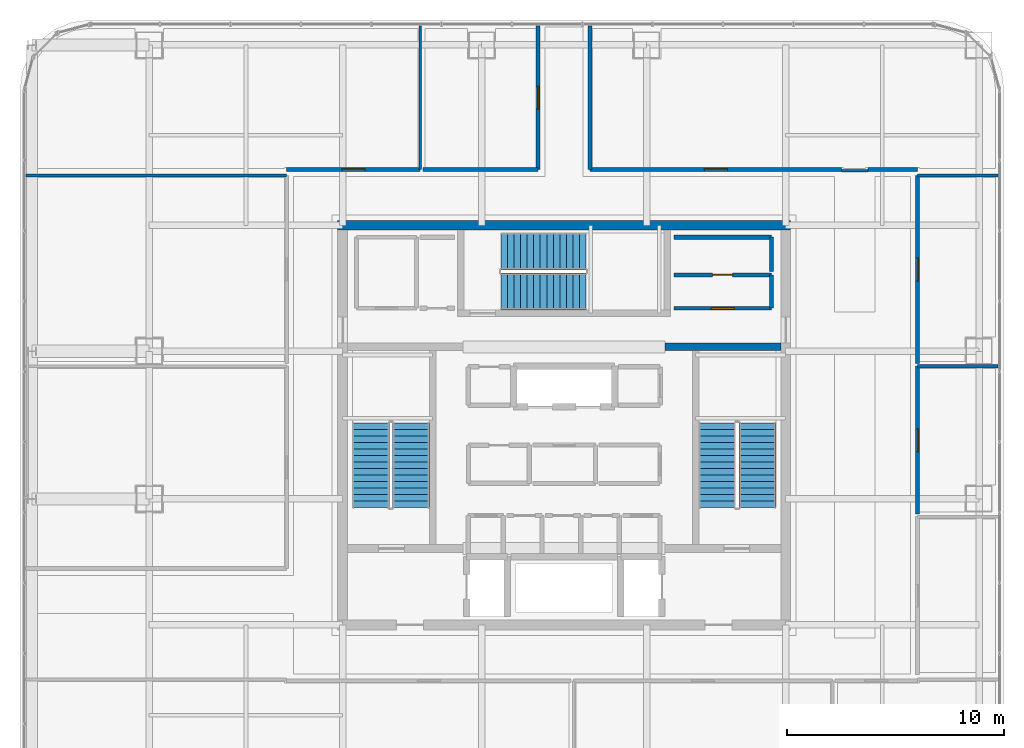
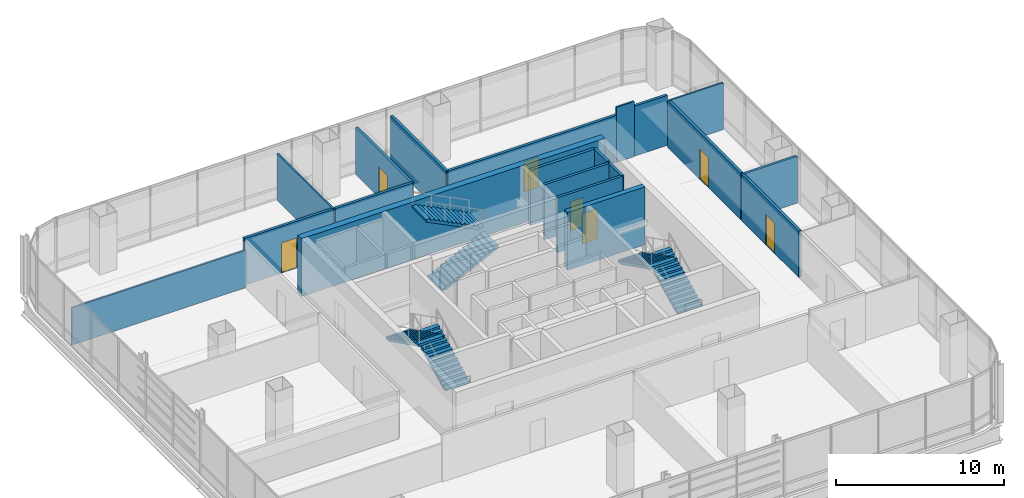
# One storey, part 37 of 43: 20 walls, 7 doors, 6 stair flights, 7 openings, 3 elements without a shape of their own.
"""IFC4 building model written with IfcOpenShell, lengths in metres."""

from ifc_helpers import new_model, si_unit, direction, frame, frame_2d, origin, place, context, subcontext, project, spatial, polyline, rectangle, outline, extrude, material, layer, layer_set, type_object, element, fill, aggregate, save


model = new_model("IFC4")

# Units and contexts
model_context = context("Model", 3, precision=1e-05, world=origin(), true_north=direction((0.0, 1.0)))
body_context = subcontext(model_context, "Body", "Model", "MODEL_VIEW")
ifc_project = project(units=[si_unit("LENGTHUNIT", "METRE"), si_unit("AREAUNIT", "SQUARE_METRE"), si_unit("VOLUMEUNIT", "CUBIC_METRE"), si_unit("PLANEANGLEUNIT", "RADIAN"), si_unit("MASSUNIT", "GRAM", prefix="KILO")], contexts=[model_context])

# Site, building, storey
site_placement = place(None, origin())
site = spatial("IfcSite", under=ifc_project, at=site_placement, CompositionType="ELEMENT")
building_placement = place(site_placement, origin())
building = spatial("IfcBuilding", under=site, at=building_placement, Name="Punatoya Terracotta Tower", CompositionType="ELEMENT")
storey_placement = place(building_placement, frame((0.0, 0.0, 321.60009765625)))
storey = spatial("IfcBuildingStorey", under=building, at=storey_placement, Name="L76", CompositionType="ELEMENT", Elevation=321.60009765625)

# Walls
ifc_material_1 = material(Name="Concrete C50/60", Category="concrete")
ifc_layer_1 = layer(ifc_material_1, 0.449951171875)
ifc_layer_set_1 = layer_set([ifc_layer_1], Name="Concrete C50/60")
wall_type_1 = type_object("IfcWallType", Name="WL-COR-450", PredefinedType="SHEAR", material=ifc_layer_set_1)
wall_1_placement = place(storey_placement, frame((-10.425048828125, 9.199951171875, 0.0), z_axis=(0.0, 0.0, 1.0), x_axis=(1.0, 0.0, 0.0)))
element("IfcWall", 1, at=wall_1_placement, inside=storey, type_object=wall_type_1, Name="L76 Core Shear Wall N", PredefinedType="SHEAR", context=body_context, shape_type="SweptSolid", body=[
    extrude(rectangle(XDim=20.85009765625, YDim=0.449951171875, at=frame_2d((10.425048828125, 0.0))), origin(), (0.0, 0.0, 1.0), 4.199951171875),
])
ifc_material_2 = material(Name="Gypsum Fireboard + Steel Stud", Category="steel")
ifc_layer_2 = layer(ifc_material_2, 0.179931640625)
ifc_layer_set_2 = layer_set([ifc_layer_2], Name="Gypsum Fireboard + Steel Stud")
wall_type_2 = type_object("IfcWallType", Name="WL-CORR-180", PredefinedType="PARTITIONING", material=ifc_layer_set_2)
wall_2_placement = place(storey_placement, frame((9.550048828125, 5.3798828125, 0.0), z_axis=(0.0, 0.0, 1.0), x_axis=(0.0, 1.0, 0.0)))
element("IfcWall", 2, at=wall_2_placement, inside=storey, type_object=wall_type_2, Name="L76 East Core Reference Room Partition 34", PredefinedType="PARTITIONING", context=body_context, shape_type="SweptSolid", body=[
    extrude(rectangle(XDim=1.5400390625, YDim=0.179931640625, at=frame_2d((0.77001953125, 0.0))), origin(), (0.0, 0.0, 1.0), 4.0),
])

# Wall, opening, door
wall_3_placement = place(storey_placement, frame((9.550048828125, 6.919921875, 0.0), z_axis=(0.0, 0.0, 1.0), x_axis=(-1.0, 0.0, 0.0)))
wall_3 = element("IfcWall", 3, at=wall_3_placement, inside=storey, type_object=wall_type_2, Name="L76 East Core Reference Room Partition 35", PredefinedType="PARTITIONING", context=body_context, shape_type="SweptSolid", body=[
    extrude(rectangle(XDim=4.5, YDim=0.179931640625, at=frame_2d((2.25, 0.0))), origin(), (0.0, 0.0, 1.0), 4.0),
])
opening_1_placement = place(wall_3_placement, frame((1.7900390625, 0.0, 0.0)))
opening_1 = element("IfcOpeningElement", 4, at=opening_1_placement, cuts=wall_3, Name="Opening FD-R1", PredefinedType="OPENING", context=body_context, shape_type="SweptSolid", body=[
    extrude(rectangle(XDim=0.919921875, YDim=2.10009765625, at=frame_2d((0.4599609375, 1.050048828125))), frame((0.0, 0.099853515625, 0.0), z_axis=(0.0, -1.0, 0.0), x_axis=(1.0, 0.0, 0.0)), (0.0, 0.0, 1.0), 0.199951171875),
])
ifc_material_3 = material(Name="Galvanised Steel Riser Fire Access Door", Category="steel")
door_type_1 = type_object("IfcDoorType", Name="DR-RSR-920", OperationType="NOTDEFINED", PredefinedType="DOOR", material=ifc_material_3)
door_1_placement = place(opening_1_placement, origin())
door_1 = element("IfcDoor", 5, at=door_1_placement, inside=storey, type_object=door_type_1, Name="L76 East Core Supply Store Fire Door", OperationType="SINGLE_SWING_LEFT", OverallHeight=2.10009765625, OverallWidth=0.919921875, PredefinedType="DOOR", context=body_context, shape_type="SweptSolid", body=[
    extrude(rectangle(XDim=0.919921875, YDim=2.10009765625, at=frame_2d((0.4599609375, 1.050048828125))), frame((0.0, 0.02490234375, 0.0), z_axis=(0.0, -1.0, 0.0), x_axis=(1.0, 0.0, 0.0)), (0.0, 0.0, 1.0), 0.050048828125),
])
fill(opening_1, door_1)

wall_4_placement = place(storey_placement, frame((5.050048828125, 5.3798828125, 0.0), z_axis=(0.0, 0.0, 1.0), x_axis=(1.0, 0.0, 0.0)))
wall_4 = element("IfcWall", 6, at=wall_4_placement, inside=storey, type_object=wall_type_2, Name="L76 East Core Reference Room Partition 36", PredefinedType="PARTITIONING", context=body_context, shape_type="SweptSolid", body=[
    extrude(rectangle(XDim=4.5, YDim=0.179931640625, at=frame_2d((2.25, 0.0))), origin(), (0.0, 0.0, 1.0), 4.0),
])
opening_2_placement = place(wall_4_placement, frame((1.72509765625, 0.0, 0.0)))
opening_2 = element("IfcOpeningElement", 7, at=opening_2_placement, cuts=wall_4, Name="Opening OD-01", PredefinedType="OPENING", context=body_context, shape_type="SweptSolid", body=[
    extrude(rectangle(XDim=1.050048828125, YDim=2.199951171875, at=frame_2d((0.52490234375, 1.10009765625))), frame((0.0, 0.099853515625, 0.0), z_axis=(0.0, -1.0, 0.0), x_axis=(1.0, 0.0, 0.0)), (0.0, 0.0, 1.0), 0.199951171875),
])
ifc_material_4 = material(Name="Bengal Teak Solid-Core Leaf")
door_type_2 = type_object("IfcDoorType", Name="DR-OFF-1050", OperationType="NOTDEFINED", PredefinedType="DOOR", material=ifc_material_4)
door_2_placement = place(opening_2_placement, origin())
door_2 = element("IfcDoor", 8, at=door_2_placement, inside=storey, type_object=door_type_2, Name="L76 East Reference Room Door", OperationType="SINGLE_SWING_RIGHT", OverallHeight=2.199951171875, OverallWidth=1.050048828125, PredefinedType="DOOR", context=body_context, shape_type="SweptSolid", body=[
    extrude(rectangle(XDim=1.050048828125, YDim=2.199951171875, at=frame_2d((0.52490234375, 1.10009765625))), frame((0.0, 0.02490234375, 0.0), z_axis=(0.0, -1.0, 0.0), x_axis=(1.0, 0.0, 0.0)), (0.0, 0.0, 1.0), 0.050048828125),
])
fill(opening_2, door_2)

wall_5_placement = place(storey_placement, frame((16.27001953125, -4.097900390625, 0.0), z_axis=(0.0, 0.0, 1.0), x_axis=(0.0, 1.0, 0.0)))
wall_5 = element("IfcWall", 9, at=wall_5_placement, inside=storey, type_object=wall_type_2, Name="L76 Open-Plan Staff Tea Pantry Partition 52", PredefinedType="PARTITIONING", context=body_context, shape_type="SweptSolid", body=[
    extrude(rectangle(XDim=6.809814453125, YDim=0.179931640625, at=frame_2d((3.40478515625, 0.0))), origin(), (0.0, 0.0, 1.0), 3.393798828125),
])
opening_3_placement = place(wall_5_placement, frame((2.8798828125, 0.0, 0.0)))
opening_3 = element("IfcOpeningElement", 10, at=opening_3_placement, cuts=wall_5, Name="Opening OD-01", PredefinedType="OPENING", context=body_context, shape_type="SweptSolid", body=[
    extrude(rectangle(XDim=1.050048828125, YDim=2.199951171875, at=frame_2d((0.52490234375, 1.10009765625))), frame((0.0, 0.099853515625, 0.0), z_axis=(0.0, -1.0, 0.0), x_axis=(1.0, 0.0, 0.0)), (0.0, 0.0, 1.0), 0.199951171875),
])
door_3_placement = place(opening_3_placement, origin())
door_3 = element("IfcDoor", 11, at=door_3_placement, inside=storey, type_object=door_type_2, Name="L76 Open-Plan Staff Tea Pantry Door", OperationType="SINGLE_SWING_LEFT", OverallHeight=2.199951171875, OverallWidth=1.050048828125, PredefinedType="DOOR", context=body_context, shape_type="SweptSolid", body=[
    extrude(rectangle(XDim=1.050048828125, YDim=2.199951171875, at=frame_2d((0.52490234375, 1.10009765625))), frame((0.0, 0.02490234375, 0.0), z_axis=(0.0, -1.0, 0.0), x_axis=(1.0, 0.0, 0.0)), (0.0, 0.0, 1.0), 0.050048828125),
])
fill(opening_3, door_3)

wall_6_placement = place(storey_placement, frame((16.27001953125, 2.83203125, 0.0), z_axis=(0.0, 0.0, 1.0), x_axis=(0.0, 1.0, 0.0)))
wall_6 = element("IfcWall", 12, at=wall_6_placement, inside=storey, type_object=wall_type_2, Name="L76 Open-Plan Systems Engineering Office Partition 56", PredefinedType="PARTITIONING", context=body_context, shape_type="SweptSolid", body=[
    extrude(rectangle(XDim=8.657958984375, YDim=0.179931640625, at=frame_2d((4.3291015625, 0.0))), origin(), (0.0, 0.0, 1.0), 3.393798828125),
])
opening_4_placement = place(wall_6_placement, frame((3.803955078125, 0.0, 0.0)))
opening_4 = element("IfcOpeningElement", 13, at=opening_4_placement, cuts=wall_6, Name="Opening OD-01", PredefinedType="OPENING", context=body_context, shape_type="SweptSolid", body=[
    extrude(rectangle(XDim=1.050048828125, YDim=2.199951171875, at=frame_2d((0.52490234375, 1.10009765625))), frame((0.0, 0.099853515625, 0.0), z_axis=(0.0, -1.0, 0.0), x_axis=(1.0, 0.0, 0.0)), (0.0, 0.0, 1.0), 0.199951171875),
])
door_4_placement = place(opening_4_placement, origin())
door_4 = element("IfcDoor", 14, at=door_4_placement, inside=storey, type_object=door_type_2, Name="L76 Open-Plan Systems Engineering Office Door", OperationType="SINGLE_SWING_LEFT", OverallHeight=2.199951171875, OverallWidth=1.050048828125, PredefinedType="DOOR", context=body_context, shape_type="SweptSolid", body=[
    extrude(rectangle(XDim=1.050048828125, YDim=2.199951171875, at=frame_2d((0.52490234375, 1.10009765625))), frame((0.0, 0.02490234375, 0.0), z_axis=(0.0, -1.0, 0.0), x_axis=(1.0, 0.0, 0.0)), (0.0, 0.0, 1.0), 0.050048828125),
])
fill(opening_4, door_4)

wall_7_placement = place(storey_placement, frame((-6.626953125, 11.77001953125, 0.0), z_axis=(0.0, 0.0, 1.0), x_axis=(-1.0, 0.0, 0.0)))
wall_7 = element("IfcWall", 15, at=wall_7_placement, inside=storey, type_object=wall_type_2, Name="L76 Open-Plan Quantitative Practice Office Partition 58", PredefinedType="PARTITIONING", context=body_context, shape_type="SweptSolid", body=[
    extrude(rectangle(XDim=6.14306640625, YDim=0.179931640625, at=frame_2d((3.071533203125, 0.0))), origin(), (0.0, 0.0, 1.0), 3.393798828125),
])
opening_5_placement = place(wall_7_placement, frame((2.54638671875, 0.0, 0.0)))
opening_5 = element("IfcOpeningElement", 16, at=opening_5_placement, cuts=wall_7, Name="Opening OD-01", PredefinedType="OPENING", context=body_context, shape_type="SweptSolid", body=[
    extrude(rectangle(XDim=1.050048828125, YDim=2.199951171875, at=frame_2d((0.52490234375, 1.10009765625))), frame((0.0, 0.099853515625, 0.0), z_axis=(0.0, -1.0, 0.0), x_axis=(1.0, 0.0, 0.0)), (0.0, 0.0, 1.0), 0.199951171875),
])
door_5_placement = place(opening_5_placement, origin())
door_5 = element("IfcDoor", 17, at=door_5_placement, inside=storey, type_object=door_type_2, Name="L76 Open-Plan Quantitative Practice Office Door", OperationType="SINGLE_SWING_RIGHT", OverallHeight=2.199951171875, OverallWidth=1.050048828125, PredefinedType="DOOR", context=body_context, shape_type="SweptSolid", body=[
    extrude(rectangle(XDim=1.050048828125, YDim=2.199951171875, at=frame_2d((0.52490234375, 1.10009765625))), frame((0.0, 0.02490234375, 0.0), z_axis=(0.0, -1.0, 0.0), x_axis=(1.0, 0.0, 0.0)), (0.0, 0.0, 1.0), 0.050048828125),
])
fill(opening_5, door_5)

wall_8_placement = place(storey_placement, frame((12.77001953125, 11.77001953125, 0.0), z_axis=(0.0, 0.0, 1.0), x_axis=(-1.0, 0.0, 0.0)))
wall_8 = element("IfcWall", 18, at=wall_8_placement, inside=storey, type_object=wall_type_2, Name="L76 Open-Plan Regional Operations Office Partition 59", PredefinedType="PARTITIONING", context=body_context, shape_type="SweptSolid", body=[
    extrude(rectangle(XDim=11.570068359375, YDim=0.179931640625, at=frame_2d((5.78515625, 0.0))), origin(), (0.0, 0.0, 1.0), 3.393798828125),
])
opening_6_placement = place(wall_8_placement, frame((5.260009765625, 0.0, 0.0)))
opening_6 = element("IfcOpeningElement", 19, at=opening_6_placement, cuts=wall_8, Name="Opening OD-01", PredefinedType="OPENING", context=body_context, shape_type="SweptSolid", body=[
    extrude(rectangle(XDim=1.050048828125, YDim=2.199951171875, at=frame_2d((0.52490234375, 1.10009765625))), frame((0.0, 0.099853515625, 0.0), z_axis=(0.0, -1.0, 0.0), x_axis=(1.0, 0.0, 0.0)), (0.0, 0.0, 1.0), 0.199951171875),
])
door_6_placement = place(opening_6_placement, origin())
door_6 = element("IfcDoor", 20, at=door_6_placement, inside=storey, type_object=door_type_2, Name="L76 Open-Plan Regional Operations Office Door", OperationType="SINGLE_SWING_LEFT", OverallHeight=2.199951171875, OverallWidth=1.050048828125, PredefinedType="DOOR", context=body_context, shape_type="SweptSolid", body=[
    extrude(rectangle(XDim=1.050048828125, YDim=2.199951171875, at=frame_2d((0.52490234375, 1.10009765625))), frame((0.0, 0.02490234375, 0.0), z_axis=(0.0, -1.0, 0.0), x_axis=(1.0, 0.0, 0.0)), (0.0, 0.0, 1.0), 0.050048828125),
])
fill(opening_6, door_6)

# Walls
wall_9_placement = place(storey_placement, frame((1.199951171875, 11.77001953125, 0.0), z_axis=(0.0, 0.0, 1.0), x_axis=(0.0, 1.0, 0.0)))
element("IfcWall", 21, at=wall_9_placement, inside=storey, type_object=wall_type_2, Name="L76 Open-Plan Regional Operations Office Partition 60", PredefinedType="PARTITIONING", context=body_context, shape_type="SweptSolid", body=[
    extrude(rectangle(XDim=6.60009765625, YDim=0.179931640625, at=frame_2d((3.300048828125, 0.0))), origin(), (0.0, 0.0, 1.0), 3.393798828125),
])
wall_10_placement = place(storey_placement, frame((16.27001953125, 11.77001953125, 0.0), z_axis=(0.0, 0.0, 1.0), x_axis=(-1.0, 0.0, 0.0)))
element("IfcWall", 22, at=wall_10_placement, inside=storey, type_object=wall_type_2, Name="L76 Open-Plan Regional Operations Office Partition 61", PredefinedType="PARTITIONING", context=body_context, shape_type="SweptSolid", body=[
    extrude(rectangle(XDim=2.2900390625, YDim=0.179931640625, at=frame_2d((1.14501953125, 0.0))), origin(), (0.0, 0.0, 1.0), 3.6337890625),
])

# Wall, opening, door
wall_11_placement = place(storey_placement, frame((-1.199951171875, 18.3701171875, 0.0), z_axis=(0.0, 0.0, 1.0), x_axis=(0.0, -1.0, 0.0)))
wall_11 = element("IfcWall", 23, at=wall_11_placement, inside=storey, type_object=wall_type_2, Name="L76 Open-Plan Global Desk Workplace Partition 63", PredefinedType="PARTITIONING", context=body_context, shape_type="SweptSolid", body=[
    extrude(rectangle(XDim=6.60009765625, YDim=0.179931640625, at=frame_2d((3.300048828125, 0.0))), origin(), (0.0, 0.0, 1.0), 3.393798828125),
])
opening_7_placement = place(wall_11_placement, frame((2.77490234375, 0.0, 0.0)))
opening_7 = element("IfcOpeningElement", 24, at=opening_7_placement, cuts=wall_11, Name="Opening OD-01", PredefinedType="OPENING", context=body_context, shape_type="SweptSolid", body=[
    extrude(rectangle(XDim=1.050048828125, YDim=2.199951171875, at=frame_2d((0.52490234375, 1.10009765625))), frame((0.0, 0.099853515625, 0.0), z_axis=(0.0, -1.0, 0.0), x_axis=(1.0, 0.0, 0.0)), (0.0, 0.0, 1.0), 0.199951171875),
])
door_7_placement = place(opening_7_placement, origin())
door_7 = element("IfcDoor", 25, at=door_7_placement, inside=storey, type_object=door_type_2, Name="L76 Open-Plan Global Desk Workplace Door", OperationType="SINGLE_SWING_RIGHT", OverallHeight=2.199951171875, OverallWidth=1.050048828125, PredefinedType="DOOR", context=body_context, shape_type="SweptSolid", body=[
    extrude(rectangle(XDim=1.050048828125, YDim=2.199951171875, at=frame_2d((0.52490234375, 1.10009765625))), frame((0.0, 0.02490234375, 0.0), z_axis=(0.0, -1.0, 0.0), x_axis=(1.0, 0.0, 0.0)), (0.0, 0.0, 1.0), 0.050048828125),
])
fill(opening_7, door_7)

# Walls
wall_12_placement = place(storey_placement, frame((-1.199951171875, 11.77001953125, 0.0), z_axis=(0.0, 0.0, 1.0), x_axis=(-1.0, 0.0, 0.0)))
element("IfcWall", 26, at=wall_12_placement, inside=storey, type_object=wall_type_2, Name="L76 Open-Plan Global Desk Workplace Partition 64", PredefinedType="PARTITIONING", context=body_context, shape_type="SweptSolid", body=[
    extrude(rectangle(XDim=5.30712890625, YDim=0.179931640625, at=frame_2d((2.653564453125, 0.0))), origin(), (0.0, 0.0, 1.0), 3.393798828125),
])
ifc_material_5 = material(Name="Concrete C40/50", Category="concrete")
ifc_layer_3 = layer(ifc_material_5, 0.199951171875)
ifc_layer_set_3 = layer_set([ifc_layer_3], Name="Concrete C40/50")
wall_type_3 = type_object("IfcWallType", Name="WL-INT-200", PredefinedType="SOLIDWALL", material=ifc_layer_set_3)
wall_13_placement = place(storey_placement, frame((9.550048828125, 7.080078125, 0.0), z_axis=(0.0, 0.0, 1.0), x_axis=(0.0, 1.0, 0.0)))
element("IfcWall", 27, at=wall_13_placement, inside=storey, type_object=wall_type_3, Name="L76 East Core Supply Store Partition 37", PredefinedType="SOLIDWALL", context=body_context, shape_type="SweptSolid", body=[
    extrude(rectangle(XDim=1.56982421875, YDim=0.199951171875, at=frame_2d((0.784912109375, 0.0))), origin(), (0.0, 0.0, 1.0), 4.0),
])
wall_14_placement = place(storey_placement, frame((9.550048828125, 8.64990234375, 0.0), z_axis=(0.0, 0.0, 1.0), x_axis=(-1.0, 0.0, 0.0)))
element("IfcWall", 28, at=wall_14_placement, inside=storey, type_object=wall_type_3, Name="L76 East Core Supply Store Partition 38", PredefinedType="SOLIDWALL", context=body_context, shape_type="SweptSolid", body=[
    extrude(rectangle(XDim=4.5, YDim=0.199951171875, at=frame_2d((2.25, 0.0))), origin(), (0.0, 0.0, 1.0), 4.0),
])
ifc_material_6 = material(Name="Gypsum Partition + Steel Stud", Category="steel")
ifc_layer_4 = layer(ifc_material_6, 0.1201171875)
ifc_layer_set_4 = layer_set([ifc_layer_4], Name="Gypsum Partition + Steel Stud")
wall_type_4 = type_object("IfcWallType", Name="WL-OFF-120", PredefinedType="PARTITIONING", material=ifc_layer_set_4)
wall_15_placement = place(storey_placement, frame((-24.77001953125, 11.489990234375, 0.0), z_axis=(0.0, 0.0, 1.0), x_axis=(1.0, 0.0, 0.0)))
element("IfcWall", 29, at=wall_15_placement, inside=storey, type_object=wall_type_4, Name="L76 Open-Plan Wellness Quiet Room Partition 53", PredefinedType="PARTITIONING", context=body_context, shape_type="SweptSolid", body=[
    extrude(rectangle(XDim=12.0, YDim=0.1201171875, at=frame_2d((6.0, 0.0))), origin(), (0.0, 0.0, 1.0), 2.7138671875),
])
wall_16_placement = place(storey_placement, frame((16.27001953125, 11.489990234375, 0.0), z_axis=(0.0, 0.0, 1.0), x_axis=(1.0, 0.0, 0.0)))
element("IfcWall", 30, at=wall_16_placement, inside=storey, type_object=wall_type_4, Name="L76 Open-Plan Systems Engineering Office Partition 55", PredefinedType="PARTITIONING", context=body_context, shape_type="SweptSolid", body=[
    extrude(rectangle(XDim=3.699951171875, YDim=0.1201171875, at=frame_2d((1.85009765625, 0.0))), origin(), (0.0, 0.0, 1.0), 3.393798828125),
])
wall_17_placement = place(storey_placement, frame((-6.626953125, 18.3701171875, 0.0), z_axis=(0.0, 0.0, 1.0), x_axis=(0.0, -1.0, 0.0)))
element("IfcWall", 31, at=wall_17_placement, inside=storey, type_object=wall_type_4, Name="L76 Open-Plan Quantitative Practice Office Partition 57", PredefinedType="PARTITIONING", context=body_context, shape_type="SweptSolid", body=[
    extrude(rectangle(XDim=6.60009765625, YDim=0.1201171875, at=frame_2d((3.300048828125, 0.0))), origin(), (0.0, 0.0, 1.0), 3.393798828125),
])
wall_18_placement = place(storey_placement, frame((13.97998046875, 11.7099609375, 0.0), z_axis=(0.0, 0.0, 1.0), x_axis=(-1.0, 0.0, 0.0)))
element("IfcWall", 32, at=wall_18_placement, inside=storey, type_object=wall_type_4, Name="L76 Open-Plan Regional Operations Office Partition 62", PredefinedType="PARTITIONING", context=body_context, shape_type="SweptSolid", body=[
    extrude(rectangle(XDim=1.2099609375, YDim=0.1201171875, at=frame_2d((0.60498046875, 0.0))), origin(), (0.0, 0.0, 1.0), 4.0),
])
ifc_layer_5 = layer(ifc_material_1, 0.35009765625)
ifc_layer_set_5 = layer_set([ifc_layer_5], Name="Concrete C50/60")
wall_type_5 = type_object("IfcWallType", Name="WL-SHF-350", PredefinedType="SOLIDWALL", material=ifc_layer_set_5)
wall_19_placement = place(storey_placement, frame((4.64990234375, 3.60009765625, 0.0), z_axis=(0.0, 0.0, 1.0), x_axis=(1.0, 0.0, 0.0)))
element("IfcWall", 33, at=wall_19_placement, inside=storey, type_object=wall_type_5, Name="L76 Core Web Wall CNW-R", PredefinedType="SOLIDWALL", context=body_context, shape_type="SweptSolid", body=[
    extrude(rectangle(XDim=5.3251953125, YDim=0.35009765625, at=frame_2d((2.66259765625, 0.0))), origin(), (0.0, 0.0, 1.0), 4.199951171875),
])
ifc_material_7 = material(Name="Masonry Blockwork + Ceramic Tile", Category="masonry")
ifc_layer_6 = layer(ifc_material_7, 0.159912109375)
ifc_layer_set_6 = layer_set([ifc_layer_6], Name="Masonry Blockwork + Ceramic Tile")
wall_type_6 = type_object("IfcWallType", Name="WL-WET-160", PredefinedType="PARTITIONING", material=ifc_layer_set_6)
wall_20_placement = place(storey_placement, frame((16.27001953125, 2.7119140625, 0.0), z_axis=(0.0, 0.0, 1.0), x_axis=(1.0, 0.0, 0.0)))
element("IfcWall", 34, at=wall_20_placement, inside=storey, type_object=wall_type_6, Name="L76 Open-Plan Staff Tea Pantry Partition 51", PredefinedType="PARTITIONING", context=body_context, shape_type="SweptSolid", body=[
    extrude(rectangle(XDim=3.699951171875, YDim=0.159912109375, at=frame_2d((1.85009765625, 0.0))), origin(), (0.0, 0.0, 1.0), 3.393798828125),
])

# Stair, stair flights
stair_type_1 = type_object("IfcStairType", Name="STR-CORE-1550", PredefinedType="HALF_TURN_STAIR", material=ifc_material_5)
stair_1_placement = place(storey_placement, origin())
stair_1 = element("IfcStair", 35, at=stair_1_placement, inside=storey, type_object=stair_type_1, Name="L76 Protected Core Exit Stair ST-1", PredefinedType="HALF_TURN_STAIR")
stair_flight_type_1 = type_object("IfcStairFlightType", Name="SFL-CORE-1550", PredefinedType="STRAIGHT", material=ifc_material_5)
stair_flight_1_placement = place(storey_placement, frame((-7.050048828125, -3.800048828125, 0.0), z_axis=(0.0, 0.0, 1.0), x_axis=(0.0, 1.0, 0.0)))
stair_flight_1 = element("IfcStairFlight", 36, at=stair_flight_1_placement, type_object=stair_flight_type_1, Name="ST-1 flight 1", NumberOfRisers=14, NumberOfTreads=13, PredefinedType="STRAIGHT", RiserHeight=0.15, TreadLength=0.3, context=body_context, shape_type="SweptSolid", body=[
    extrude(outline(polyline([(0.0, 0.0), (0.0, 0.14990234375), (0.300048828125, 0.14990234375), (0.300048828125, 0.300048828125), (0.60009765625, 0.300048828125), (0.60009765625, 0.449951171875), (0.89990234375, 0.449951171875), (0.89990234375, 0.60009765625), (1.199951171875, 0.60009765625), (1.199951171875, 0.75), (1.5, 0.75), (1.5, 0.89990234375), (1.800048828125, 0.89990234375), (1.800048828125, 1.050048828125), (2.10009765625, 1.050048828125), (2.10009765625, 1.199951171875), (2.39990234375, 1.199951171875), (2.39990234375, 1.35009765625), (2.699951171875, 1.35009765625), (2.699951171875, 1.5), (3.0, 1.5), (3.0, 1.64990234375), (3.300048828125, 1.64990234375), (3.300048828125, 1.800048828125), (3.60009765625, 1.800048828125), (3.60009765625, 1.949951171875), (3.89990234375, 1.949951171875), (3.89990234375, 2.10009765625), (3.89990234375, 1.782470703125), (0.335205078125, 0.0), (0.0, 0.0)])), frame((0.0, 0.85009765625, 0.0), z_axis=(0.0, -1.0, 0.0), x_axis=(1.0, 0.0, 0.0)), (0.0, 0.0, 1.0), 1.699951171875),
])
stair_flight_2_placement = place(storey_placement, frame((-8.89990234375, 0.10009765625, 2.099853515625), z_axis=(0.0, 0.0, 1.0), x_axis=(0.0, -1.0, 0.0)))
stair_flight_2 = element("IfcStairFlight", 37, at=stair_flight_2_placement, type_object=stair_flight_type_1, Name="ST-1 flight 2", NumberOfRisers=14, NumberOfTreads=13, PredefinedType="STRAIGHT", RiserHeight=0.15, TreadLength=0.3, context=body_context, shape_type="SweptSolid", body=[
    extrude(outline(polyline([(0.0, 0.0), (0.0, 0.14990234375), (0.300048828125, 0.14990234375), (0.300048828125, 0.300048828125), (0.60009765625, 0.300048828125), (0.60009765625, 0.449951171875), (0.89990234375, 0.449951171875), (0.89990234375, 0.60009765625), (1.199951171875, 0.60009765625), (1.199951171875, 0.75), (1.5, 0.75), (1.5, 0.89990234375), (1.800048828125, 0.89990234375), (1.800048828125, 1.050048828125), (2.10009765625, 1.050048828125), (2.10009765625, 1.199951171875), (2.39990234375, 1.199951171875), (2.39990234375, 1.35009765625), (2.699951171875, 1.35009765625), (2.699951171875, 1.5), (3.0, 1.5), (3.0, 1.64990234375), (3.300048828125, 1.64990234375), (3.300048828125, 1.800048828125), (3.60009765625, 1.800048828125), (3.60009765625, 1.949951171875), (3.89990234375, 1.949951171875), (3.89990234375, 2.10009765625), (3.89990234375, 1.782470703125), (0.335205078125, 0.0), (0.0, 0.0)])), frame((0.0, 0.85009765625, 0.0), z_axis=(0.0, -1.0, 0.0), x_axis=(1.0, 0.0, 0.0)), (0.0, 0.0, 1.0), 1.699951171875),
])
aggregate(stair_1, [stair_flight_1, stair_flight_2])

stair_type_2 = type_object("IfcStairType", Name="STR-LOB-1650", PredefinedType="HALF_TURN_STAIR", material=ifc_material_5)
stair_2_placement = place(storey_placement, origin())
stair_2 = element("IfcStair", 38, at=stair_2_placement, inside=storey, type_object=stair_type_2, Name="L76 Protected Core Exit Stair ST-2", PredefinedType="HALF_TURN_STAIR")
stair_flight_type_2 = type_object("IfcStairFlightType", Name="SFL-LOB-1650", PredefinedType="STRAIGHT", material=ifc_material_5)
stair_flight_3_placement = place(storey_placement, frame((8.89990234375, -3.800048828125, 0.0), z_axis=(0.0, 0.0, 1.0), x_axis=(0.0, 1.0, 0.0)))
stair_flight_3 = element("IfcStairFlight", 39, at=stair_flight_3_placement, type_object=stair_flight_type_2, Name="ST-2 flight 1", NumberOfRisers=14, NumberOfTreads=13, PredefinedType="STRAIGHT", RiserHeight=0.15, TreadLength=0.3, context=body_context, shape_type="SweptSolid", body=[
    extrude(outline(polyline([(0.0, 0.0), (0.0, 0.14990234375), (0.300048828125, 0.14990234375), (0.300048828125, 0.300048828125), (0.60009765625, 0.300048828125), (0.60009765625, 0.449951171875), (0.89990234375, 0.449951171875), (0.89990234375, 0.60009765625), (1.199951171875, 0.60009765625), (1.199951171875, 0.75), (1.5, 0.75), (1.5, 0.89990234375), (1.800048828125, 0.89990234375), (1.800048828125, 1.050048828125), (2.10009765625, 1.050048828125), (2.10009765625, 1.199951171875), (2.39990234375, 1.199951171875), (2.39990234375, 1.35009765625), (2.699951171875, 1.35009765625), (2.699951171875, 1.5), (3.0, 1.5), (3.0, 1.64990234375), (3.300048828125, 1.64990234375), (3.300048828125, 1.800048828125), (3.60009765625, 1.800048828125), (3.60009765625, 1.949951171875), (3.89990234375, 1.949951171875), (3.89990234375, 2.10009765625), (3.89990234375, 1.782470703125), (0.335205078125, 0.0), (0.0, 0.0)])), frame((0.0, 0.85009765625, 0.0), z_axis=(0.0, -1.0, 0.0), x_axis=(1.0, 0.0, 0.0)), (0.0, 0.0, 1.0), 1.699951171875),
])
stair_flight_4_placement = place(storey_placement, frame((7.050048828125, 0.10009765625, 2.099853515625), z_axis=(0.0, 0.0, 1.0), x_axis=(0.0, -1.0, 0.0)))
stair_flight_4 = element("IfcStairFlight", 40, at=stair_flight_4_placement, type_object=stair_flight_type_2, Name="ST-2 flight 2", NumberOfRisers=14, NumberOfTreads=13, PredefinedType="STRAIGHT", RiserHeight=0.15, TreadLength=0.3, context=body_context, shape_type="SweptSolid", body=[
    extrude(outline(polyline([(0.0, 0.0), (0.0, 0.14990234375), (0.300048828125, 0.14990234375), (0.300048828125, 0.300048828125), (0.60009765625, 0.300048828125), (0.60009765625, 0.449951171875), (0.89990234375, 0.449951171875), (0.89990234375, 0.60009765625), (1.199951171875, 0.60009765625), (1.199951171875, 0.75), (1.5, 0.75), (1.5, 0.89990234375), (1.800048828125, 0.89990234375), (1.800048828125, 1.050048828125), (2.10009765625, 1.050048828125), (2.10009765625, 1.199951171875), (2.39990234375, 1.199951171875), (2.39990234375, 1.35009765625), (2.699951171875, 1.35009765625), (2.699951171875, 1.5), (3.0, 1.5), (3.0, 1.64990234375), (3.300048828125, 1.64990234375), (3.300048828125, 1.800048828125), (3.60009765625, 1.800048828125), (3.60009765625, 1.949951171875), (3.89990234375, 1.949951171875), (3.89990234375, 2.10009765625), (3.89990234375, 1.782470703125), (0.335205078125, 0.0), (0.0, 0.0)])), frame((0.0, 0.85009765625, 0.0), z_axis=(0.0, -1.0, 0.0), x_axis=(1.0, 0.0, 0.0)), (0.0, 0.0, 1.0), 1.699951171875),
])
aggregate(stair_2, [stair_flight_3, stair_flight_4])

stair_type_3 = type_object("IfcStairType", Name="STR-TER-1450", PredefinedType="HALF_TURN_STAIR", material=ifc_material_5)
stair_3_placement = place(storey_placement, origin())
stair_3 = element("IfcStair", 41, at=stair_3_placement, inside=storey, type_object=stair_type_3, Name="L76 Protected Core Exit Stair ST-3", PredefinedType="HALF_TURN_STAIR")
stair_flight_type_3 = type_object("IfcStairFlightType", Name="SFL-TER-1450", PredefinedType="STRAIGHT", material=ifc_material_5)
stair_flight_5_placement = place(storey_placement, frame((-2.89990234375, 6.14990234375, 0.0), z_axis=(0.0, 0.0, 1.0), x_axis=(1.0, 0.0, 0.0)))
stair_flight_5 = element("IfcStairFlight", 42, at=stair_flight_5_placement, type_object=stair_flight_type_3, Name="ST-3 flight 1", NumberOfRisers=14, NumberOfTreads=13, PredefinedType="STRAIGHT", RiserHeight=0.15, TreadLength=0.3, context=body_context, shape_type="SweptSolid", body=[
    extrude(outline(polyline([(0.0, 0.0), (0.0, 0.14990234375), (0.300048828125, 0.14990234375), (0.300048828125, 0.300048828125), (0.60009765625, 0.300048828125), (0.60009765625, 0.449951171875), (0.89990234375, 0.449951171875), (0.89990234375, 0.60009765625), (1.199951171875, 0.60009765625), (1.199951171875, 0.75), (1.5, 0.75), (1.5, 0.89990234375), (1.800048828125, 0.89990234375), (1.800048828125, 1.050048828125), (2.10009765625, 1.050048828125), (2.10009765625, 1.199951171875), (2.39990234375, 1.199951171875), (2.39990234375, 1.35009765625), (2.699951171875, 1.35009765625), (2.699951171875, 1.5), (3.0, 1.5), (3.0, 1.64990234375), (3.300048828125, 1.64990234375), (3.300048828125, 1.800048828125), (3.60009765625, 1.800048828125), (3.60009765625, 1.949951171875), (3.89990234375, 1.949951171875), (3.89990234375, 2.10009765625), (3.89990234375, 1.782470703125), (0.335205078125, 0.0), (0.0, 0.0)])), frame((0.0, 0.85009765625, 0.0), z_axis=(0.0, -1.0, 0.0), x_axis=(1.0, 0.0, 0.0)), (0.0, 0.0, 1.0), 1.699951171875),
])
stair_flight_6_placement = place(storey_placement, frame((1.0, 8.0, 2.099853515625), z_axis=(0.0, 0.0, 1.0), x_axis=(-1.0, 0.0, 0.0)))
stair_flight_6 = element("IfcStairFlight", 43, at=stair_flight_6_placement, type_object=stair_flight_type_3, Name="ST-3 flight 2", NumberOfRisers=14, NumberOfTreads=13, PredefinedType="STRAIGHT", RiserHeight=0.15, TreadLength=0.3, context=body_context, shape_type="SweptSolid", body=[
    extrude(outline(polyline([(0.0, 0.0), (0.0, 0.14990234375), (0.300048828125, 0.14990234375), (0.300048828125, 0.300048828125), (0.60009765625, 0.300048828125), (0.60009765625, 0.449951171875), (0.89990234375, 0.449951171875), (0.89990234375, 0.60009765625), (1.199951171875, 0.60009765625), (1.199951171875, 0.75), (1.5, 0.75), (1.5, 0.89990234375), (1.800048828125, 0.89990234375), (1.800048828125, 1.050048828125), (2.10009765625, 1.050048828125), (2.10009765625, 1.199951171875), (2.39990234375, 1.199951171875), (2.39990234375, 1.35009765625), (2.699951171875, 1.35009765625), (2.699951171875, 1.5), (3.0, 1.5), (3.0, 1.64990234375), (3.300048828125, 1.64990234375), (3.300048828125, 1.800048828125), (3.60009765625, 1.800048828125), (3.60009765625, 1.949951171875), (3.89990234375, 1.949951171875), (3.89990234375, 2.10009765625), (3.89990234375, 1.782470703125), (0.335205078125, 0.0), (0.0, 0.0)])), frame((0.0, 0.85009765625, 0.0), z_axis=(0.0, -1.0, 0.0), x_axis=(1.0, 0.0, 0.0)), (0.0, 0.0, 1.0), 1.699951171875),
])
aggregate(stair_3, [stair_flight_5, stair_flight_6])

save(model, "model.ifc")
